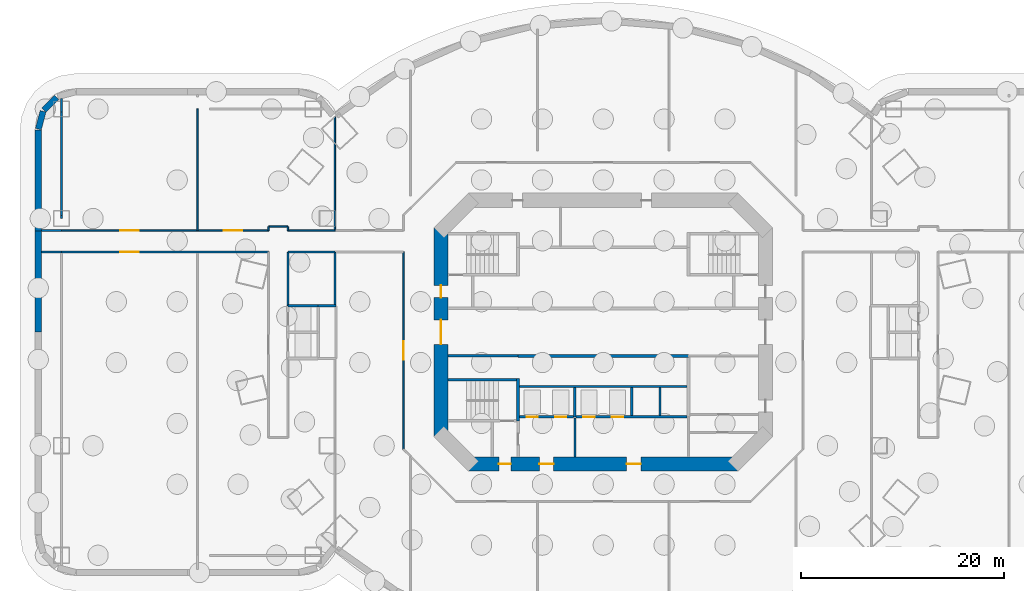
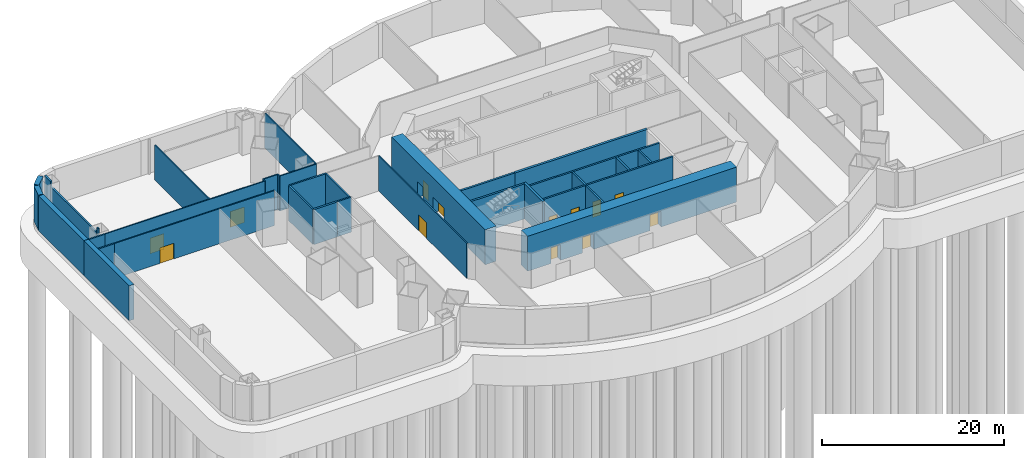
# One storey, part 3 of 9: 36 walls, 13 doors, 13 openings.
"""IFC4 building model written with IfcOpenShell, lengths in metres."""

from ifc_helpers import new_model, si_unit, direction, frame, frame_2d, origin, place, context, subcontext, project, spatial, rectangle, extrude, material, layer, layer_set, type_object, element, fill, save


model = new_model("IFC4")

# Units and contexts
model_context = context("Model", 3, precision=1e-05, world=origin(), true_north=direction((0.0, 1.0)))
body_context = subcontext(model_context, "Body", "Model", "MODEL_VIEW")
ifc_project = project(units=[si_unit("LENGTHUNIT", "METRE"), si_unit("AREAUNIT", "SQUARE_METRE"), si_unit("VOLUMEUNIT", "CUBIC_METRE"), si_unit("PLANEANGLEUNIT", "RADIAN"), si_unit("MASSUNIT", "GRAM", prefix="KILO")], contexts=[model_context])

# Site, building, storey
site_placement = place(None, origin())
site = spatial("IfcSite", under=ifc_project, at=site_placement, CompositionType="ELEMENT")
building_placement = place(site_placement, origin())
building = spatial("IfcBuilding", under=site, at=building_placement, Name="Marenthal Gate Tower", CompositionType="ELEMENT")
storey_placement = place(building_placement, frame((0.0, 0.0, -10.0)))
storey = spatial("IfcBuildingStorey", under=building, at=storey_placement, Name="B2", CompositionType="ELEMENT", Elevation=-10.0)

# Walls
ifc_material_1 = material(Name="Concrete 50 MPa", Category="concrete")
ifc_layer_1 = layer(ifc_material_1, 0.60009765625)
ifc_layer_set_1 = layer_set([ifc_layer_1], Name="BASEMENT WALL 600")
wall_type_1 = type_object("IfcWallType", Name="BASEMENT WALL 600", PredefinedType="SOLIDWALL", material=ifc_layer_set_1)
wall_1_placement = place(storey_placement, frame((-53.904052734375, 23.146484375, 0.0), z_axis=(0.0, 0.0, 1.0), x_axis=(-0.707176340655, -0.707037214875, 0.0)))
element("IfcWall", 1, at=wall_1_placement, inside=storey, type_object=wall_type_1, Name="BW-B2-40", PredefinedType="SOLIDWALL", context=body_context, shape_type="SweptSolid", body=[
    extrude(rectangle(XDim=1.7548828125, YDim=0.60009765625, at=frame_2d((0.87744140625, 0.0))), origin(), (0.0, 0.0, 1.0), 4.699951171875),
])
wall_2_placement = place(storey_placement, frame((-55.22216796875, 21.77294921875, 0.0), z_axis=(0.0, 0.0, 1.0), x_axis=(-0.257595706611, -0.966252788837, 0.0)))
element("IfcWall", 2, at=wall_2_placement, inside=storey, type_object=wall_type_1, Name="BW-B2-41", PredefinedType="SOLIDWALL", context=body_context, shape_type="SweptSolid", body=[
    extrude(rectangle(XDim=1.81591796875, YDim=0.60009765625, at=frame_2d((0.907958984375, 0.0))), origin(), (0.0, 0.0, 1.0), 4.699951171875),
])
wall_3_placement = place(storey_placement, frame((-55.699951171875, 19.94287109375, 0.0), z_axis=(0.0, 0.0, 1.0), x_axis=(0.0, -1.0, 0.0)))
element("IfcWall", 3, at=wall_3_placement, inside=storey, type_object=wall_type_1, Name="BW-B2-42", PredefinedType="SOLIDWALL", context=body_context, shape_type="SweptSolid", body=[
    extrude(rectangle(XDim=9.95263671875, YDim=0.60009765625, at=frame_2d((4.976318359375, 0.0))), origin(), (0.0, 0.0, 1.0), 4.699951171875),
])
wall_4_placement = place(storey_placement, frame((-55.699951171875, 9.98974609375, 0.0), z_axis=(0.0, 0.0, 1.0), x_axis=(0.0, -1.0, 0.0)))
element("IfcWall", 4, at=wall_4_placement, inside=storey, type_object=wall_type_1, Name="BW-B2-43", PredefinedType="SOLIDWALL", context=body_context, shape_type="SweptSolid", body=[
    extrude(rectangle(XDim=9.98974609375, YDim=0.60009765625, at=frame_2d((4.994873046875, 0.0))), origin(), (0.0, 0.0, 1.0), 4.699951171875),
])

# Wall, openings, doors
ifc_material_2 = material(Name="Concrete 60 MPa", Category="concrete")
ifc_layer_2 = layer(ifc_material_2, 1.39990234375)
ifc_layer_set_2 = layer_set([ifc_layer_2], Name="Core shear wall 1400")
wall_type_2 = type_object("IfcWallType", Name="Core shear wall 1400", PredefinedType="SHEAR", material=ifc_layer_set_2)
wall_5_placement = place(storey_placement, frame((-16.0, 10.289794921875, 0.0), z_axis=(0.0, 0.0, 1.0), x_axis=(0.0, -1.0, 0.0)))
wall_5 = element("IfcWall", 5, at=wall_5_placement, inside=storey, type_object=wall_type_2, Name="Core wall 06", PredefinedType="SHEAR", context=body_context, shape_type="SweptSolid", body=[
    extrude(rectangle(XDim=20.57958984375, YDim=1.39990234375, at=frame_2d((10.289794921875, 0.0))), origin(), (0.0, 0.0, 1.0), 4.699951171875),
])
opening_1_placement = place(wall_5_placement, frame((9.08984375, 0.0, 0.0)))
opening_1 = element("IfcOpeningElement", 6, at=opening_1_placement, cuts=wall_5, Name="Opening D003.01", PredefinedType="OPENING", context=body_context, shape_type="SweptSolid", body=[
    extrude(rectangle(XDim=2.39990234375, YDim=2.10009765625, at=frame_2d((1.199951171875, 1.050048828125))), frame((0.0, 0.7099609375, 0.0), z_axis=(0.0, -1.0, 0.0), x_axis=(1.0, 0.0, 0.0)), (0.0, 0.0, 1.0), 1.419921875),
])
opening_2_placement = place(wall_5_placement, frame((5.68994140625, 0.0, 0.0)))
opening_2 = element("IfcOpeningElement", 7, at=opening_2_placement, cuts=wall_5, Name="Opening D001.04", PredefinedType="OPENING", context=body_context, shape_type="SweptSolid", body=[
    extrude(rectangle(XDim=1.199951171875, YDim=2.10009765625, at=frame_2d((0.60009765625, 1.050048828125))), frame((0.0, 0.7099609375, 0.0), z_axis=(0.0, -1.0, 0.0), x_axis=(1.0, 0.0, 0.0)), (0.0, 0.0, 1.0), 1.419921875),
])
ifc_material_3 = material(Name="Steel fire door", Category="steel")
door_type_1 = type_object("IfcDoorType", Name="Double fire door FD 45 2400 x 2100", OperationType="DOUBLE_DOOR_SINGLE_SWING", PredefinedType="DOOR", material=ifc_material_3)
door_1_placement = place(opening_1_placement, origin())
door_1 = element("IfcDoor", 8, at=door_1_placement, inside=storey, type_object=door_type_1, Name="Door D003.01", OperationType="DOUBLE_DOOR_SINGLE_SWING", OverallHeight=2.10009765625, OverallWidth=2.39990234375, PredefinedType="DOOR", context=body_context, shape_type="SweptSolid", body=[
    extrude(rectangle(XDim=2.39990234375, YDim=2.10009765625, at=frame_2d((1.199951171875, 1.050048828125))), frame((0.0, 0.02490234375, 0.0), z_axis=(0.0, -1.0, 0.0), x_axis=(1.0, 0.0, 0.0)), (0.0, 0.0, 1.0), 0.050048828125),
])
fill(opening_1, door_1)
ifc_material_4 = material(Name="Steel fire door", Category="steel")
door_type_2 = type_object("IfcDoorType", Name="Fire door FD 90 1200 x 2100", OperationType="NOTDEFINED", PredefinedType="DOOR", material=ifc_material_4)
door_2_placement = place(opening_2_placement, origin())
door_2 = element("IfcDoor", 9, at=door_2_placement, inside=storey, type_object=door_type_2, Name="Door D001.04", OperationType="SINGLE_SWING_RIGHT", OverallHeight=2.10009765625, OverallWidth=1.199951171875, PredefinedType="DOOR", context=body_context, shape_type="SweptSolid", body=[
    extrude(rectangle(XDim=1.199951171875, YDim=2.10009765625, at=frame_2d((0.60009765625, 1.050048828125))), frame((0.0, 0.02490234375, 0.0), z_axis=(0.0, -1.0, 0.0), x_axis=(1.0, 0.0, 0.0)), (0.0, 0.0, 1.0), 0.050048828125),
])
fill(opening_2, door_2)

wall_6_placement = place(storey_placement, frame((-13.289794921875, -13.0, 0.0), z_axis=(0.0, 0.0, 1.0), x_axis=(1.0, 0.0, 0.0)))
wall_6 = element("IfcWall", 10, at=wall_6_placement, inside=storey, type_object=wall_type_2, Name="Core wall 08", PredefinedType="SHEAR", context=body_context, shape_type="SweptSolid", body=[
    extrude(rectangle(XDim=26.57958984375, YDim=1.39990234375, at=frame_2d((13.289794921875, 0.0))), origin(), (0.0, 0.0, 1.0), 4.699951171875),
])
opening_3_placement = place(wall_6_placement, frame((2.989990234375, 0.0, 0.0)))
opening_3 = element("IfcOpeningElement", 11, at=opening_3_placement, cuts=wall_6, Name="Opening D001.06", PredefinedType="OPENING", context=body_context, shape_type="SweptSolid", body=[
    extrude(rectangle(XDim=1.199951171875, YDim=2.10009765625, at=frame_2d((0.60009765625, 1.050048828125))), frame((0.0, 0.7099609375, 0.0), z_axis=(0.0, -1.0, 0.0), x_axis=(1.0, 0.0, 0.0)), (0.0, 0.0, 1.0), 1.419921875),
])
opening_4_placement = place(wall_6_placement, frame((6.989990234375, 0.0, 0.0)))
opening_4 = element("IfcOpeningElement", 12, at=opening_4_placement, cuts=wall_6, Name="Opening D004.01", PredefinedType="OPENING", context=body_context, shape_type="SweptSolid", body=[
    extrude(rectangle(XDim=1.39990234375, YDim=2.10009765625, at=frame_2d((0.699951171875, 1.050048828125))), frame((0.0, 0.7099609375, 0.0), z_axis=(0.0, -1.0, 0.0), x_axis=(1.0, 0.0, 0.0)), (0.0, 0.0, 1.0), 1.419921875),
])
opening_5_placement = place(wall_6_placement, frame((15.58984375, 0.0, 0.0)))
opening_5 = element("IfcOpeningElement", 13, at=opening_5_placement, cuts=wall_6, Name="Opening D004.02", PredefinedType="OPENING", context=body_context, shape_type="SweptSolid", body=[
    extrude(rectangle(XDim=1.39990234375, YDim=2.10009765625, at=frame_2d((0.699951171875, 1.050048828125))), frame((0.0, 0.7099609375, 0.0), z_axis=(0.0, -1.0, 0.0), x_axis=(1.0, 0.0, 0.0)), (0.0, 0.0, 1.0), 1.419921875),
])
ifc_material_5 = material(Name="Steel fire door", Category="steel")
door_type_3 = type_object("IfcDoorType", Name="Fire door FD 45 1400 x 2100", OperationType="NOTDEFINED", PredefinedType="DOOR", material=ifc_material_5)
door_3_placement = place(opening_4_placement, origin())
door_3 = element("IfcDoor", 14, at=door_3_placement, inside=storey, type_object=door_type_3, Name="Door D004.01", OperationType="SINGLE_SWING_RIGHT", OverallHeight=2.10009765625, OverallWidth=1.39990234375, PredefinedType="DOOR", context=body_context, shape_type="SweptSolid", body=[
    extrude(rectangle(XDim=1.39990234375, YDim=2.10009765625, at=frame_2d((0.699951171875, 1.050048828125))), frame((0.0, 0.02490234375, 0.0), z_axis=(0.0, -1.0, 0.0), x_axis=(1.0, 0.0, 0.0)), (0.0, 0.0, 1.0), 0.050048828125),
])
fill(opening_4, door_3)
door_4_placement = place(opening_5_placement, origin())
door_4 = element("IfcDoor", 15, at=door_4_placement, inside=storey, type_object=door_type_3, Name="Door D004.02", OperationType="SINGLE_SWING_RIGHT", OverallHeight=2.10009765625, OverallWidth=1.39990234375, PredefinedType="DOOR", context=body_context, shape_type="SweptSolid", body=[
    extrude(rectangle(XDim=1.39990234375, YDim=2.10009765625, at=frame_2d((0.699951171875, 1.050048828125))), frame((0.0, 0.02490234375, 0.0), z_axis=(0.0, -1.0, 0.0), x_axis=(1.0, 0.0, 0.0)), (0.0, 0.0, 1.0), 0.050048828125),
])
fill(opening_5, door_4)
door_5_placement = place(opening_3_placement, origin())
door_5 = element("IfcDoor", 16, at=door_5_placement, inside=storey, type_object=door_type_2, Name="Door D001.06", OperationType="SINGLE_SWING_RIGHT", OverallHeight=2.10009765625, OverallWidth=1.199951171875, PredefinedType="DOOR", context=body_context, shape_type="SweptSolid", body=[
    extrude(rectangle(XDim=1.199951171875, YDim=2.10009765625, at=frame_2d((0.60009765625, 1.050048828125))), frame((0.0, 0.02490234375, 0.0), z_axis=(0.0, -1.0, 0.0), x_axis=(1.0, 0.0, 0.0)), (0.0, 0.0, 1.0), 0.050048828125),
])
fill(opening_3, door_5)

# Walls
ifc_material_6 = material(Name="Gypsum board on steel studs", Category="steel")
ifc_layer_3 = layer(ifc_material_6, 0.199951171875)
ifc_layer_set_3 = layer_set([ifc_layer_3], Name="Fire lobby wall 200")
wall_type_3 = type_object("IfcWallType", Name="Fire lobby wall 200", PredefinedType="PARTITIONING", material=ifc_layer_set_3)
wall_7_placement = place(storey_placement, frame((-2.800048828125, -12.300048828125, 0.0), z_axis=(0.0, 0.0, 1.0), x_axis=(0.0, 1.0, 0.0)))
element("IfcWall", 17, at=wall_7_placement, inside=storey, type_object=wall_type_3, Name="Fire wall 34", PredefinedType="PARTITIONING", context=body_context, shape_type="SweptSolid", body=[
    extrude(rectangle(XDim=3.840087890625, YDim=0.199951171875, at=frame_2d((1.919921875, 0.0))), origin(), (0.0, 0.0, 1.0), 4.699951171875),
])
ifc_material_7 = material(Name="Concrete 50 MPa", Category="concrete")
ifc_layer_4 = layer(ifc_material_7, 0.300048828125)
ifc_layer_set_4 = layer_set([ifc_layer_4], Name="Hoistway shear wall 300")
wall_type_4 = type_object("IfcWallType", Name="Hoistway shear wall 300", PredefinedType="SHEAR", material=ifc_layer_set_4)
wall_8_placement = place(storey_placement, frame((-8.39990234375, -2.35009765625, 0.0), z_axis=(0.0, 0.0, 1.0), x_axis=(1.0, 0.0, 0.0)))
element("IfcWall", 18, at=wall_8_placement, inside=storey, type_object=wall_type_4, Name="Hoistway wall 17", PredefinedType="SHEAR", context=body_context, shape_type="SweptSolid", body=[
    extrude(rectangle(XDim=16.7998046875, YDim=0.300048828125, at=frame_2d((8.39990234375, 0.0))), origin(), (0.0, 0.0, 1.0), 4.699951171875),
])
wall_9_placement = place(storey_placement, frame((-8.39990234375, -8.75, 0.0), z_axis=(0.0, 0.0, 1.0), x_axis=(0.0, 1.0, 0.0)))
element("IfcWall", 19, at=wall_9_placement, inside=storey, type_object=wall_type_4, Name="Hoistway wall 30", PredefinedType="SHEAR", context=body_context, shape_type="SweptSolid", body=[
    extrude(rectangle(XDim=4.175048828125, YDim=0.300048828125, at=frame_2d((2.08740234375, 0.0))), origin(), (0.0, 0.0, 1.0), 4.699951171875),
])

# Wall, openings, doors
ifc_material_8 = material(Name="Concrete 40 MPa", Category="concrete")
ifc_layer_5 = layer(ifc_material_8, 0.219970703125)
ifc_layer_set_5 = layer_set([ifc_layer_5], Name="Hoistway wall 220")
wall_type_5 = type_object("IfcWallType", Name="Hoistway wall 220", PredefinedType="STANDARD", material=ifc_layer_set_5)
wall_10_placement = place(storey_placement, frame((-8.25, -8.35009765625, 0.0), z_axis=(0.0, 0.0, 1.0), x_axis=(1.0, 0.0, 0.0)))
wall_10 = element("IfcWall", 20, at=wall_10_placement, inside=storey, type_object=wall_type_5, Name="Hoistway wall 11", PredefinedType="STANDARD", context=body_context, shape_type="SweptSolid", body=[
    extrude(rectangle(XDim=5.340087890625, YDim=0.219970703125, at=frame_2d((2.669921875, 0.0))), origin(), (0.0, 0.0, 1.0), 4.699951171875),
])
opening_6_placement = place(wall_10_placement, frame((0.699951171875, 0.0, 0.0)))
opening_6 = element("IfcOpeningElement", 21, at=opening_6_placement, cuts=wall_10, Name="Opening LD-LF1", PredefinedType="OPENING", context=body_context, shape_type="SweptSolid", body=[
    extrude(rectangle(XDim=1.10009765625, YDim=2.10009765625, at=frame_2d((0.550048828125, 1.050048828125))), frame((0.0, 0.1201171875, 0.0), z_axis=(0.0, -1.0, 0.0), x_axis=(1.0, 0.0, 0.0)), (0.0, 0.0, 1.0), 0.239990234375),
])
opening_7_placement = place(wall_10_placement, frame((3.5, 0.0, 0.0)))
opening_7 = element("IfcOpeningElement", 22, at=opening_7_placement, cuts=wall_10, Name="Opening LD-LF2", PredefinedType="OPENING", context=body_context, shape_type="SweptSolid", body=[
    extrude(rectangle(XDim=1.10009765625, YDim=2.10009765625, at=frame_2d((0.550048828125, 1.050048828125))), frame((0.0, 0.1201171875, 0.0), z_axis=(0.0, -1.0, 0.0), x_axis=(1.0, 0.0, 0.0)), (0.0, 0.0, 1.0), 0.239990234375),
])
ifc_material_9 = material(Name="Stainless steel sliding door", Category="steel")
door_type_4 = type_object("IfcDoorType", Name="Lift landing door FD 90 1100 x 2100", OperationType="DOUBLE_DOOR_SLIDING", PredefinedType="DOOR", material=ifc_material_9)
door_6_placement = place(opening_6_placement, origin())
door_6 = element("IfcDoor", 23, at=door_6_placement, inside=storey, type_object=door_type_4, Name="Lift landing door LF1", OperationType="DOUBLE_DOOR_SLIDING", OverallHeight=2.10009765625, OverallWidth=1.10009765625, PredefinedType="DOOR", context=body_context, shape_type="SweptSolid", body=[
    extrude(rectangle(XDim=1.10009765625, YDim=2.10009765625, at=frame_2d((0.550048828125, 1.050048828125))), frame((0.0, 0.02490234375, 0.0), z_axis=(0.0, -1.0, 0.0), x_axis=(1.0, 0.0, 0.0)), (0.0, 0.0, 1.0), 0.050048828125),
])
fill(opening_6, door_6)
door_7_placement = place(opening_7_placement, origin())
door_7 = element("IfcDoor", 24, at=door_7_placement, inside=storey, type_object=door_type_4, Name="Lift landing door LF2", OperationType="DOUBLE_DOOR_SLIDING", OverallHeight=2.10009765625, OverallWidth=1.10009765625, PredefinedType="DOOR", context=body_context, shape_type="SweptSolid", body=[
    extrude(rectangle(XDim=1.10009765625, YDim=2.10009765625, at=frame_2d((0.550048828125, 1.050048828125))), frame((0.0, 0.02490234375, 0.0), z_axis=(0.0, -1.0, 0.0), x_axis=(1.0, 0.0, 0.0)), (0.0, 0.0, 1.0), 0.050048828125),
])
fill(opening_7, door_7)

wall_11_placement = place(storey_placement, frame((-2.68994140625, -8.35009765625, 0.0), z_axis=(0.0, 0.0, 1.0), x_axis=(1.0, 0.0, 0.0)))
wall_11 = element("IfcWall", 25, at=wall_11_placement, inside=storey, type_object=wall_type_5, Name="Hoistway wall 12", PredefinedType="STANDARD", context=body_context, shape_type="SweptSolid", body=[
    extrude(rectangle(XDim=10.93994140625, YDim=0.219970703125, at=frame_2d((5.469970703125, 0.0))), origin(), (0.0, 0.0, 1.0), 4.699951171875),
])
opening_8_placement = place(wall_11_placement, frame((0.739990234375, 0.0, 0.0)))
opening_8 = element("IfcOpeningElement", 26, at=opening_8_placement, cuts=wall_11, Name="Opening LD-SV1", PredefinedType="OPENING", context=body_context, shape_type="SweptSolid", body=[
    extrude(rectangle(XDim=1.10009765625, YDim=2.10009765625, at=frame_2d((0.550048828125, 1.050048828125))), frame((0.0, 0.1201171875, 0.0), z_axis=(0.0, -1.0, 0.0), x_axis=(1.0, 0.0, 0.0)), (0.0, 0.0, 1.0), 0.239990234375),
])
opening_9_placement = place(wall_11_placement, frame((3.5400390625, 0.0, 0.0)))
opening_9 = element("IfcOpeningElement", 27, at=opening_9_placement, cuts=wall_11, Name="Opening LD-SV2", PredefinedType="OPENING", context=body_context, shape_type="SweptSolid", body=[
    extrude(rectangle(XDim=1.10009765625, YDim=2.10009765625, at=frame_2d((0.550048828125, 1.050048828125))), frame((0.0, 0.1201171875, 0.0), z_axis=(0.0, -1.0, 0.0), x_axis=(1.0, 0.0, 0.0)), (0.0, 0.0, 1.0), 0.239990234375),
])
door_8_placement = place(opening_8_placement, origin())
door_8 = element("IfcDoor", 28, at=door_8_placement, inside=storey, type_object=door_type_4, Name="Lift landing door SV1", OperationType="DOUBLE_DOOR_SLIDING", OverallHeight=2.10009765625, OverallWidth=1.10009765625, PredefinedType="DOOR", context=body_context, shape_type="SweptSolid", body=[
    extrude(rectangle(XDim=1.10009765625, YDim=2.10009765625, at=frame_2d((0.550048828125, 1.050048828125))), frame((0.0, 0.02490234375, 0.0), z_axis=(0.0, -1.0, 0.0), x_axis=(1.0, 0.0, 0.0)), (0.0, 0.0, 1.0), 0.050048828125),
])
fill(opening_8, door_8)
door_9_placement = place(opening_9_placement, origin())
door_9 = element("IfcDoor", 29, at=door_9_placement, inside=storey, type_object=door_type_4, Name="Lift landing door SV2", OperationType="DOUBLE_DOOR_SLIDING", OverallHeight=2.10009765625, OverallWidth=1.10009765625, PredefinedType="DOOR", context=body_context, shape_type="SweptSolid", body=[
    extrude(rectangle(XDim=1.10009765625, YDim=2.10009765625, at=frame_2d((0.550048828125, 1.050048828125))), frame((0.0, 0.02490234375, 0.0), z_axis=(0.0, -1.0, 0.0), x_axis=(1.0, 0.0, 0.0)), (0.0, 0.0, 1.0), 0.050048828125),
])
fill(opening_9, door_9)

# Walls
wall_12_placement = place(storey_placement, frame((-8.25, -5.35009765625, 0.0), z_axis=(0.0, 0.0, 1.0), x_axis=(1.0, 0.0, 0.0)))
element("IfcWall", 30, at=wall_12_placement, inside=storey, type_object=wall_type_5, Name="Hoistway wall 14", PredefinedType="STANDARD", context=body_context, shape_type="SweptSolid", body=[
    extrude(rectangle(XDim=16.5, YDim=0.219970703125, at=frame_2d((8.25, 0.0))), origin(), (0.0, 0.0, 1.0), 4.699951171875),
])
wall_13_placement = place(storey_placement, frame((-2.800048828125, -8.35009765625, 0.0), z_axis=(0.0, 0.0, 1.0), x_axis=(0.0, 1.0, 0.0)))
element("IfcWall", 31, at=wall_13_placement, inside=storey, type_object=wall_type_5, Name="Hoistway wall 35", PredefinedType="STANDARD", context=body_context, shape_type="SweptSolid", body=[
    extrude(rectangle(XDim=2.89013671875, YDim=0.219970703125, at=frame_2d((1.445068359375, 0.0))), origin(), (0.0, 0.0, 1.0), 4.699951171875),
])
for number, where, z_axis, x_axis, name in (
    (32, (2.800048828125, -8.239990234375, 0.0), (0.0, 0.0, 1.0), (0.0, 1.0, 0.0), "Hoistway wall 36"),
    (33, (5.60009765625, -8.239990234375, 0.0), (0.0, 0.0, 1.0), (0.0, 1.0, 0.0), "Hoistway wall 37"),
):
    element("IfcWall", number, at=place(storey_placement, frame(where, z_axis=z_axis, x_axis=x_axis)), inside=storey, type_object=wall_type_5, Name=name, PredefinedType="STANDARD", context=body_context, shape_type="SweptSolid", body=[
        extrude(rectangle(XDim=2.780029296875, YDim=0.219970703125, at=frame_2d((1.39013671875, 0.0))), origin(), (0.0, 0.0, 1.0), 4.699951171875),
    ])
ifc_material_10 = material(Name="Concrete 40 MPa", Category="concrete")
ifc_layer_6 = layer(ifc_material_10, 0.25)
ifc_layer_set_6 = layer_set([ifc_layer_6], Name="Hoistway wall 250")
wall_type_6 = type_object("IfcWallType", Name="Hoistway wall 250", PredefinedType="STANDARD", material=ifc_layer_set_6)
wall_14_placement = place(storey_placement, frame((-31.10009765625, 2.60009765625, 0.0), z_axis=(0.0, 0.0, 1.0), x_axis=(1.0, 0.0, 0.0)))
element("IfcWall", 34, at=wall_14_placement, inside=storey, type_object=wall_type_6, Name="Hoistway wall 47", PredefinedType="STANDARD", context=body_context, shape_type="SweptSolid", body=[
    extrude(rectangle(XDim=3.0, YDim=0.25, at=frame_2d((1.5, 0.0))), origin(), (0.0, 0.0, 1.0), 4.699951171875),
])

# Wall, opening, door
ifc_material_11 = material(Name="Gypsum board on steel studs", Category="steel")
ifc_layer_7 = layer(ifc_material_11, 0.14990234375)
ifc_layer_set_7 = layer_set([ifc_layer_7], Name="Partition 150")
wall_type_7 = type_object("IfcWallType", Name="Partition 150", PredefinedType="PARTITIONING", material=ifc_layer_set_7)
wall_15_placement = place(storey_placement, frame((-19.699951171875, -11.532470703125, 0.0), z_axis=(0.0, 0.0, 1.0), x_axis=(0.0, 1.0, 0.0)))
wall_15 = element("IfcWall", 35, at=wall_15_placement, inside=storey, type_object=wall_type_7, Name="Partition wall 75", PredefinedType="PARTITIONING", context=body_context, shape_type="SweptSolid", body=[
    extrude(rectangle(XDim=19.4375, YDim=0.14990234375, at=frame_2d((9.71875, 0.0))), origin(), (0.0, 0.0, 1.0), 4.699951171875),
])
opening_10_placement = place(wall_15_placement, frame((8.816162109375, 0.0, 0.0)))
opening_10 = element("IfcOpeningElement", 36, at=opening_10_placement, cuts=wall_15, Name="Opening D008.01", PredefinedType="OPENING", context=body_context, shape_type="SweptSolid", body=[
    extrude(rectangle(XDim=1.800048828125, YDim=2.10009765625, at=frame_2d((0.89990234375, 1.050048828125))), frame((0.0, 0.0849609375, 0.0), z_axis=(0.0, -1.0, 0.0), x_axis=(1.0, 0.0, 0.0)), (0.0, 0.0, 1.0), 0.169921875),
])
ifc_material_12 = material(Name="Steel fire door", Category="steel")
door_type_5 = type_object("IfcDoorType", Name="Double fire door FD 90 1800 x 2100", OperationType="DOUBLE_DOOR_SINGLE_SWING", PredefinedType="DOOR", material=ifc_material_12)
door_10_placement = place(opening_10_placement, origin())
door_10 = element("IfcDoor", 37, at=door_10_placement, inside=storey, type_object=door_type_5, Name="Door D008.01", OperationType="DOUBLE_DOOR_SINGLE_SWING", OverallHeight=2.10009765625, OverallWidth=1.800048828125, PredefinedType="DOOR", context=body_context, shape_type="SweptSolid", body=[
    extrude(rectangle(XDim=1.800048828125, YDim=2.10009765625, at=frame_2d((0.89990234375, 1.050048828125))), frame((0.0, 0.02490234375, 0.0), z_axis=(0.0, -1.0, 0.0), x_axis=(1.0, 0.0, 0.0)), (0.0, 0.0, 1.0), 0.050048828125),
])
fill(opening_10, door_10)

# Wall
wall_16_placement = place(storey_placement, frame((-26.449951171875, 10.0, 0.0), z_axis=(0.0, 0.0, 1.0), x_axis=(0.0, 1.0, 0.0)))
element("IfcWall", 38, at=wall_16_placement, inside=storey, type_object=wall_type_7, Name="Partition wall 78", PredefinedType="PARTITIONING", context=body_context, shape_type="SweptSolid", body=[
    extrude(rectangle(XDim=11.222412109375, YDim=0.14990234375, at=frame_2d((5.611328125, 0.0))), origin(), (0.0, 0.0, 1.0), 4.699951171875),
])

# Wall, opening, door
wall_17_placement = place(storey_placement, frame((-53.405029296875, 7.89990234375, 0.0), z_axis=(0.0, 0.0, 1.0), x_axis=(1.0, 0.0, 0.0)))
wall_17 = element("IfcWall", 39, at=wall_17_placement, inside=storey, type_object=wall_type_7, Name="Partition wall 83", PredefinedType="PARTITIONING", context=body_context, shape_type="SweptSolid", body=[
    extrude(rectangle(XDim=20.405029296875, YDim=0.14990234375, at=frame_2d((10.20263671875, 0.0))), origin(), (0.0, 0.0, 1.0), 4.699951171875),
])
opening_11_placement = place(wall_17_placement, frame((5.804931640625, 0.0, 0.0)))
opening_11 = element("IfcOpeningElement", 40, at=opening_11_placement, cuts=wall_17, Name="Opening D007.01", PredefinedType="OPENING", context=body_context, shape_type="SweptSolid", body=[
    extrude(rectangle(XDim=1.800048828125, YDim=2.10009765625, at=frame_2d((0.89990234375, 1.050048828125))), frame((0.0, 0.0849609375, 0.0), z_axis=(0.0, -1.0, 0.0), x_axis=(1.0, 0.0, 0.0)), (0.0, 0.0, 1.0), 0.169921875),
])
ifc_material_13 = material(Name="Steel fire door", Category="steel")
door_type_6 = type_object("IfcDoorType", Name="Double fire door FD 45 1800 x 2100", OperationType="DOUBLE_DOOR_SINGLE_SWING", PredefinedType="DOOR", material=ifc_material_13)
door_11_placement = place(opening_11_placement, origin())
door_11 = element("IfcDoor", 41, at=door_11_placement, inside=storey, type_object=door_type_6, Name="Door D007.01", OperationType="DOUBLE_DOOR_SINGLE_SWING", OverallHeight=2.10009765625, OverallWidth=1.800048828125, PredefinedType="DOOR", context=body_context, shape_type="SweptSolid", body=[
    extrude(rectangle(XDim=1.800048828125, YDim=2.10009765625, at=frame_2d((0.89990234375, 1.050048828125))), frame((0.0, 0.02490234375, 0.0), z_axis=(0.0, -1.0, 0.0), x_axis=(1.0, 0.0, 0.0)), (0.0, 0.0, 1.0), 0.050048828125),
])
fill(opening_11, door_11)

# Wall, openings, doors
wall_18_placement = place(storey_placement, frame((-53.405029296875, 10.0, 0.0), z_axis=(0.0, 0.0, 1.0), x_axis=(1.0, 0.0, 0.0)))
wall_18 = element("IfcWall", 42, at=wall_18_placement, inside=storey, type_object=wall_type_7, Name="Partition wall 86", PredefinedType="PARTITIONING", context=body_context, shape_type="SweptSolid", body=[
    extrude(rectangle(XDim=20.405029296875, YDim=0.14990234375, at=frame_2d((10.20263671875, 0.0))), origin(), (0.0, 0.0, 1.0), 4.699951171875),
])
opening_12_placement = place(wall_18_placement, frame((5.804931640625, 0.0, 0.0)))
opening_12 = element("IfcOpeningElement", 43, at=opening_12_placement, cuts=wall_18, Name="Opening D007.08", PredefinedType="OPENING", context=body_context, shape_type="SweptSolid", body=[
    extrude(rectangle(XDim=1.800048828125, YDim=2.10009765625, at=frame_2d((0.89990234375, 1.050048828125))), frame((0.0, 0.0849609375, 0.0), z_axis=(0.0, -1.0, 0.0), x_axis=(1.0, 0.0, 0.0)), (0.0, 0.0, 1.0), 0.169921875),
])
opening_13_placement = place(wall_18_placement, frame((16.0048828125, 0.0, 0.0)))
opening_13 = element("IfcOpeningElement", 44, at=opening_13_placement, cuts=wall_18, Name="Opening D007.09", PredefinedType="OPENING", context=body_context, shape_type="SweptSolid", body=[
    extrude(rectangle(XDim=1.800048828125, YDim=2.10009765625, at=frame_2d((0.89990234375, 1.050048828125))), frame((0.0, 0.0849609375, 0.0), z_axis=(0.0, -1.0, 0.0), x_axis=(1.0, 0.0, 0.0)), (0.0, 0.0, 1.0), 0.169921875),
])
door_12_placement = place(opening_12_placement, origin())
door_12 = element("IfcDoor", 45, at=door_12_placement, inside=storey, type_object=door_type_6, Name="Door D007.08", OperationType="DOUBLE_DOOR_SINGLE_SWING", OverallHeight=2.10009765625, OverallWidth=1.800048828125, PredefinedType="DOOR", context=body_context, shape_type="SweptSolid", body=[
    extrude(rectangle(XDim=1.800048828125, YDim=2.10009765625, at=frame_2d((0.89990234375, 1.050048828125))), frame((0.0, 0.02490234375, 0.0), z_axis=(0.0, -1.0, 0.0), x_axis=(1.0, 0.0, 0.0)), (0.0, 0.0, 1.0), 0.050048828125),
])
fill(opening_12, door_12)
door_13_placement = place(opening_13_placement, origin())
door_13 = element("IfcDoor", 46, at=door_13_placement, inside=storey, type_object=door_type_6, Name="Door D007.09", OperationType="DOUBLE_DOOR_SINGLE_SWING", OverallHeight=2.10009765625, OverallWidth=1.800048828125, PredefinedType="DOOR", context=body_context, shape_type="SweptSolid", body=[
    extrude(rectangle(XDim=1.800048828125, YDim=2.10009765625, at=frame_2d((0.89990234375, 1.050048828125))), frame((0.0, 0.02490234375, 0.0), z_axis=(0.0, -1.0, 0.0), x_axis=(1.0, 0.0, 0.0)), (0.0, 0.0, 1.0), 0.050048828125),
])
fill(opening_13, door_13)

# Walls
wall_19_placement = place(storey_placement, frame((-31.10009765625, 10.0, 0.0), z_axis=(0.0, 0.0, 1.0), x_axis=(1.0, 0.0, 0.0)))
element("IfcWall", 47, at=wall_19_placement, inside=storey, type_object=wall_type_7, Name="Partition wall 87", PredefinedType="PARTITIONING", context=body_context, shape_type="SweptSolid", body=[
    extrude(rectangle(XDim=4.655029296875, YDim=0.14990234375, at=frame_2d((2.32763671875, 0.0))), origin(), (0.0, 0.0, 1.0), 4.699951171875),
])
wall_20_placement = place(storey_placement, frame((-33.0, 10.39990234375, 0.0), z_axis=(0.0, 0.0, 1.0), x_axis=(1.0, 0.0, 0.0)))
element("IfcWall", 48, at=wall_20_placement, inside=storey, type_object=wall_type_7, Name="Partition wall 89", PredefinedType="PARTITIONING", context=body_context, shape_type="SweptSolid", body=[
    extrude(rectangle(XDim=1.89990234375, YDim=0.14990234375, at=frame_2d((0.949951171875, 0.0))), origin(), (0.0, 0.0, 1.0), 4.699951171875),
])
for number, where, z_axis, x_axis, name in (
    (49, (-31.10009765625, 9.9951171875, 0.0), (0.0, 0.0, 1.0), (0.0, 1.0, 0.0), "Partition wall 99"),
    (50, (-33.0, 9.9951171875, 0.0), (0.0, 0.0, 1.0), (0.0, 1.0, 0.0), "Partition wall 01"),
):
    element("IfcWall", number, at=place(storey_placement, frame(where, z_axis=z_axis, x_axis=x_axis)), inside=storey, type_object=wall_type_7, Name=name, PredefinedType="PARTITIONING", context=body_context, shape_type="SweptSolid", body=[
        extrude(rectangle(XDim=0.40478515625, YDim=0.14990234375, at=frame_2d((0.202392578125, 0.0))), origin(), (0.0, 0.0, 1.0), 4.699951171875),
    ])
wall_21_placement = place(storey_placement, frame((-40.0, 10.0, 0.0), z_axis=(0.0, 0.0, 1.0), x_axis=(0.0, 1.0, 0.0)))
element("IfcWall", 51, at=wall_21_placement, inside=storey, type_object=wall_type_7, Name="Partition wall 03", PredefinedType="PARTITIONING", context=body_context, shape_type="SweptSolid", body=[
    extrude(rectangle(XDim=12.0048828125, YDim=0.14990234375, at=frame_2d((6.00244140625, 0.0))), origin(), (0.0, 0.0, 1.0), 4.699951171875),
])
ifc_material_14 = material(Name="Gypsum board on steel studs", Category="steel")
ifc_layer_8 = layer(ifc_material_14, 0.199951171875)
ifc_layer_set_8 = layer_set([ifc_layer_8], Name="Partition 200")
wall_type_8 = type_object("IfcWallType", Name="Partition 200", PredefinedType="PARTITIONING", material=ifc_layer_set_8)
wall_22_placement = place(storey_placement, frame((-28.10009765625, 2.60009765625, 0.0), z_axis=(0.0, 0.0, 1.0), x_axis=(1.0, 0.0, 0.0)))
element("IfcWall", 52, at=wall_22_placement, inside=storey, type_object=wall_type_8, Name="Partition wall 09", PredefinedType="PARTITIONING", context=body_context, shape_type="SweptSolid", body=[
    extrude(rectangle(XDim=1.77001953125, YDim=0.199951171875, at=frame_2d((0.885009765625, 0.0))), origin(), (0.0, 0.0, 1.0), 4.699951171875),
])
wall_23_placement = place(storey_placement, frame((-55.39990234375, 7.89990234375, 0.0), z_axis=(0.0, 0.0, 1.0), x_axis=(1.0, 0.0, 0.0)))
element("IfcWall", 53, at=wall_23_placement, inside=storey, type_object=wall_type_8, Name="Partition wall 11", PredefinedType="PARTITIONING", context=body_context, shape_type="SweptSolid", body=[
    extrude(rectangle(XDim=2.0048828125, YDim=0.199951171875, at=frame_2d((1.00244140625, 0.0))), origin(), (0.0, 0.0, 1.0), 4.699951171875),
])
wall_24_placement = place(storey_placement, frame((-31.10009765625, 7.89990234375, 0.0), z_axis=(0.0, 0.0, 1.0), x_axis=(1.0, 0.0, 0.0)))
element("IfcWall", 54, at=wall_24_placement, inside=storey, type_object=wall_type_8, Name="Partition wall 12", PredefinedType="PARTITIONING", context=body_context, shape_type="SweptSolid", body=[
    extrude(rectangle(XDim=4.655029296875, YDim=0.199951171875, at=frame_2d((2.32763671875, 0.0))), origin(), (0.0, 0.0, 1.0), 4.699951171875),
])
wall_25_placement = place(storey_placement, frame((-55.39990234375, 10.0, 0.0), z_axis=(0.0, 0.0, 1.0), x_axis=(1.0, 0.0, 0.0)))
element("IfcWall", 55, at=wall_25_placement, inside=storey, type_object=wall_type_8, Name="Partition wall 15", PredefinedType="PARTITIONING", context=body_context, shape_type="SweptSolid", body=[
    extrude(rectangle(XDim=2.0048828125, YDim=0.199951171875, at=frame_2d((1.00244140625, 0.0))), origin(), (0.0, 0.0, 1.0), 4.699951171875),
])
wall_26_placement = place(storey_placement, frame((-26.449951171875, 2.60009765625, 0.0), z_axis=(0.0, 0.0, 1.0), x_axis=(0.0, 1.0, 0.0)))
element("IfcWall", 56, at=wall_26_placement, inside=storey, type_object=wall_type_8, Name="Partition wall 27", PredefinedType="PARTITIONING", context=body_context, shape_type="SweptSolid", body=[
    extrude(rectangle(XDim=5.2998046875, YDim=0.199951171875, at=frame_2d((2.64990234375, 0.0))), origin(), (0.0, 0.0, 1.0), 4.699951171875),
])
wall_27_placement = place(storey_placement, frame((-31.10009765625, 2.594970703125, 0.0), z_axis=(0.0, 0.0, 1.0), x_axis=(0.0, 1.0, 0.0)))
element("IfcWall", 57, at=wall_27_placement, inside=storey, type_object=wall_type_8, Name="Partition wall 28", PredefinedType="PARTITIONING", context=body_context, shape_type="SweptSolid", body=[
    extrude(rectangle(XDim=5.31005859375, YDim=0.199951171875, at=frame_2d((2.655029296875, 0.0))), origin(), (0.0, 0.0, 1.0), 4.699951171875),
])
wall_28_placement = place(storey_placement, frame((-53.39990234375, 11.199951171875, 0.0), z_axis=(0.0, 0.0, 1.0), x_axis=(0.0, 1.0, 0.0)))
element("IfcWall", 58, at=wall_28_placement, inside=storey, type_object=wall_type_8, Name="Partition wall 32", PredefinedType="PARTITIONING", context=body_context, shape_type="SweptSolid", body=[
    extrude(rectangle(XDim=0.300048828125, YDim=0.199951171875, at=frame_2d((0.14990234375, 0.0))), origin(), (0.0, 0.0, 1.0), 4.699951171875),
])
wall_29_placement = place(storey_placement, frame((-53.39990234375, 11.5, 0.0), z_axis=(0.0, 0.0, 1.0), x_axis=(0.0, 1.0, 0.0)))
element("IfcWall", 59, at=wall_29_placement, inside=storey, type_object=wall_type_8, Name="Partition wall 145", PredefinedType="PARTITIONING", context=body_context, shape_type="SweptSolid", body=[
    extrude(rectangle(XDim=10.199951171875, YDim=0.199951171875, at=frame_2d((5.10009765625, 0.0))), origin(), (0.0, 0.0, 1.0), 4.01708984375),
])
wall_30_placement = place(storey_placement, frame((-53.39990234375, 21.699951171875, 0.0), z_axis=(0.0, 0.0, 1.0), x_axis=(0.0, 1.0, 0.0)))
element("IfcWall", 60, at=wall_30_placement, inside=storey, type_object=wall_type_8, Name="Partition wall 146", PredefinedType="PARTITIONING", context=body_context, shape_type="SweptSolid", body=[
    extrude(rectangle(XDim=1.3154296875, YDim=0.199951171875, at=frame_2d((0.65771484375, 0.0))), origin(), (0.0, 0.0, 1.0), 4.699951171875),
])
ifc_material_15 = material(Name="Concrete 40 MPa", Category="concrete")
ifc_layer_9 = layer(ifc_material_15, 0.25)
ifc_layer_set_9 = layer_set([ifc_layer_9], Name="Stair enclosure wall 250")
wall_type_9 = type_object("IfcWallType", Name="Stair enclosure wall 250", PredefinedType="STANDARD", material=ifc_layer_set_9)
wall_31_placement = place(storey_placement, frame((-15.300048828125, -2.35009765625, 0.0), z_axis=(0.0, 0.0, 1.0), x_axis=(1.0, 0.0, 0.0)))
element("IfcWall", 61, at=wall_31_placement, inside=storey, type_object=wall_type_9, Name="Stair wall 16", PredefinedType="STANDARD", context=body_context, shape_type="SweptSolid", body=[
    extrude(rectangle(XDim=6.900146484375, YDim=0.25, at=frame_2d((3.4501953125, 0.0))), origin(), (0.0, 0.0, 1.0), 4.699951171875),
])
ifc_material_16 = material(Name="Concrete 50 MPa", Category="concrete")
ifc_layer_10 = layer(ifc_material_16, 0.25)
ifc_layer_set_10 = layer_set([ifc_layer_10], Name="Stair shear wall 250")
wall_type_10 = type_object("IfcWallType", Name="Stair shear wall 250", PredefinedType="SHEAR", material=ifc_layer_set_10)
wall_32_placement = place(storey_placement, frame((-15.300048828125, -4.699951171875, 0.0), z_axis=(0.0, 0.0, 1.0), x_axis=(1.0, 0.0, 0.0)))
element("IfcWall", 62, at=wall_32_placement, inside=storey, type_object=wall_type_10, Name="Stair wall 15", PredefinedType="SHEAR", context=body_context, shape_type="SweptSolid", body=[
    extrude(rectangle(XDim=6.75, YDim=0.25, at=frame_2d((3.375, 0.0))), origin(), (0.0, 0.0, 1.0), 4.699951171875),
])

save(model, "model.ifc")
